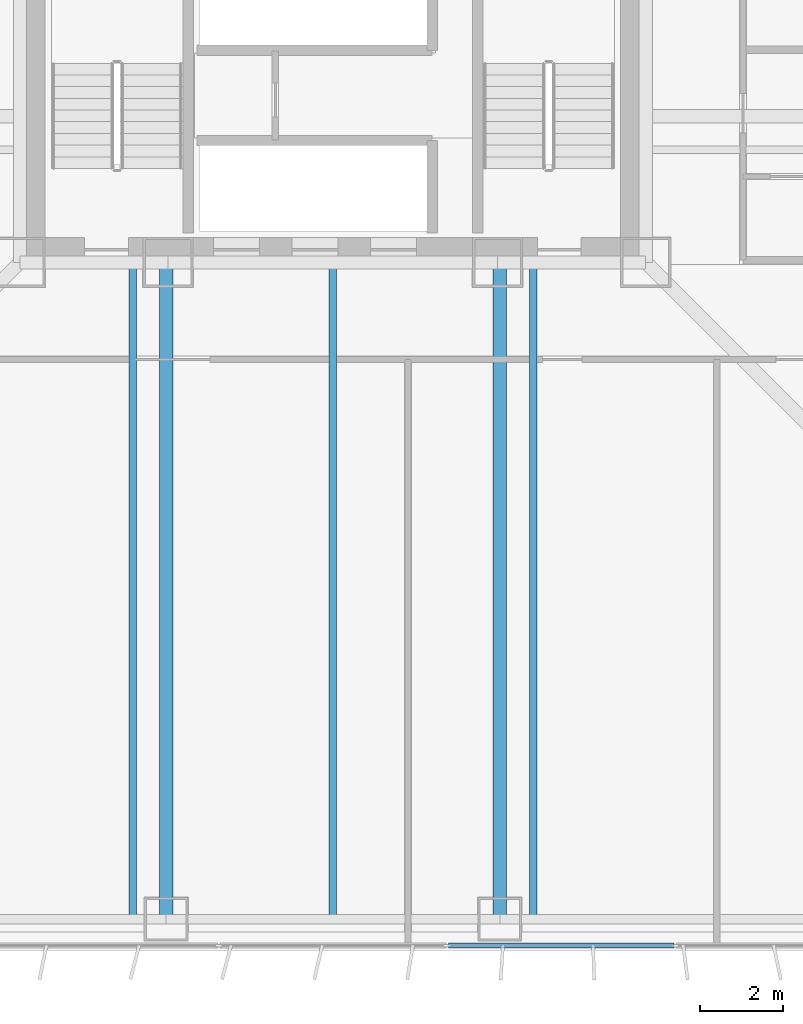
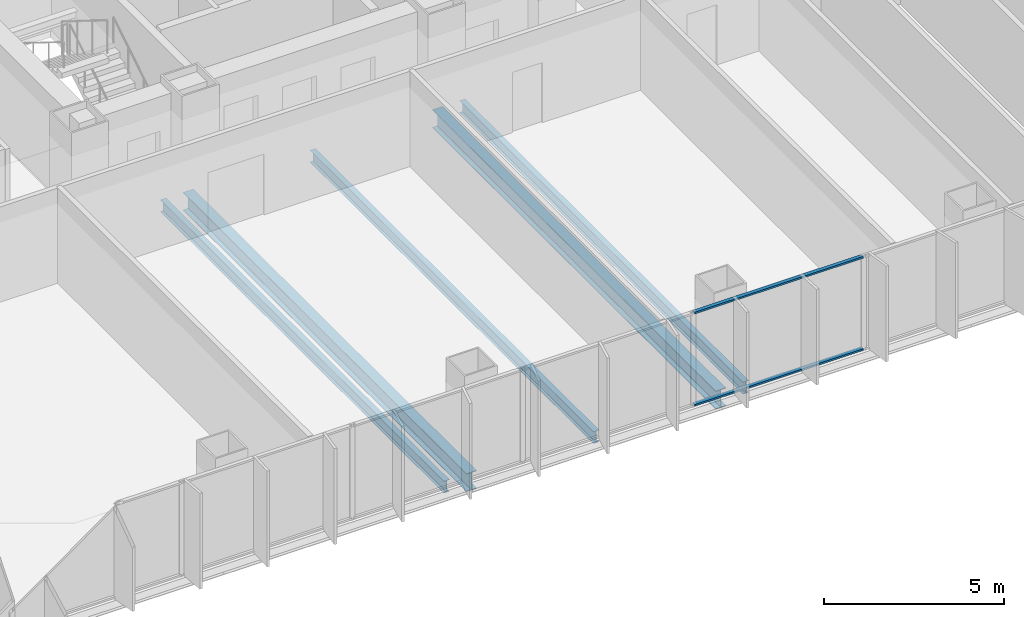
# One storey, part 3 of 17: 5 beams, 2 members, 1 element without a shape of its own.
"""IFC4 building model written with IfcOpenShell, lengths in metres."""

from ifc_helpers import new_model, si_unit, direction, frame, origin, origin_2d, place, context, subcontext, project, spatial, rectangle, i_section, extrude, material, layer, layer_set, material_profile, profile_set, type_object, element, aggregate, save


model = new_model("IFC4")

# Units and contexts
model_context = context("Model", 3, precision=1e-05, world=origin(), true_north=direction((0.0, 1.0)))
body_context = subcontext(model_context, "Body", "Model", "MODEL_VIEW")
ifc_project = project(units=[si_unit("LENGTHUNIT", "METRE"), si_unit("AREAUNIT", "SQUARE_METRE"), si_unit("VOLUMEUNIT", "CUBIC_METRE"), si_unit("PLANEANGLEUNIT", "RADIAN"), si_unit("MASSUNIT", "GRAM", prefix="KILO")], contexts=[model_context])

# Site, building, storey
site_placement = place(None, origin())
site = spatial("IfcSite", under=ifc_project, at=site_placement, CompositionType="ELEMENT")
building_placement = place(site_placement, origin())
building = spatial("IfcBuilding", under=site, at=building_placement, Name="Trevonay Congress Spire", CompositionType="ELEMENT")
storey_placement = place(building_placement, frame((0.0, 0.0, 69.0)))
storey = spatial("IfcBuildingStorey", under=building, at=storey_placement, Name="L17", CompositionType="ELEMENT", Elevation=69.0)

# Beams
ifc_material_1 = material(Name="Steel ASTM A572 Grade 50", Category="steel")
ifc_material_profile_1 = material_profile(ifc_material_1, i_section(OverallWidth=0.324951171875, OverallDepth=0.615966796875, WebThickness=0.013916015625, FlangeThickness=0.021484375, FilletRadius=0.01806640625, at=origin_2d()), Name="W610x174")
ifc_profile_set_1 = profile_set([ifc_material_profile_1], Name="Steel ASTM A572 Grade 50")
beam_type_1 = type_object("IfcBeamType", Name="BM-GIRD-W610X174", PredefinedType="BEAM", material=ifc_profile_set_1)
for number, where, z_axis, x_axis, name in (
    (1, (-4.0, -7.5, -0.55810546875), (0.0, -1.0, 0.0), (1.0, 0.0, 0.0), "L17 structural beam BM-L17-GS-M"),
    (2, (4.0, -7.5, -0.55810546875), (0.0, -1.0, 0.0), (1.0, 0.0, 0.0), "L17 structural beam BM-L17-GS-P"),
):
    element("IfcBeam", number, at=place(storey_placement, frame(where, z_axis=z_axis, x_axis=x_axis)), inside=storey, type_object=beam_type_1, Name=name, PredefinedType="BEAM", context=body_context, shape_type="SweptSolid", body=[
        extrude(i_section(OverallWidth=0.324951171875, OverallDepth=0.615966796875, WebThickness=0.013916015625, FlangeThickness=0.021484375, FilletRadius=0.01806640625, at=origin_2d()), origin(), (0.0, 0.0, 1.0), 15.75),
    ])

# Curtain wall, members
ifc_material_2 = material(Name="Pale Anodised Aluminium EN AW-6063-T6", Category="aluminium")
ifc_layer = layer(ifc_material_2, 0.179931640625, Name="Pale Anodised Aluminium EN AW-6063-T6")
ifc_layer_set = layer_set([ifc_layer], Name="Pale Anodised Aluminium EN AW-6063-T6")
curtain_wall_type = type_object("IfcCurtainWallType", Name="CW-SYS02-HOTEL-PALE-METAL", PredefinedType="NOTDEFINED", material=ifc_layer_set)
curtain_wall_placement = place(storey_placement, origin())
curtain_wall = element("IfcCurtainWall", 3, at=curtain_wall_placement, inside=storey, type_object=curtain_wall_type, Name="L17 S unitised curtain wall", PredefinedType="NOTDEFINED")
ifc_material_profile_2 = material_profile(ifc_material_2, rectangle(XDim=0.1201171875, YDim=0.06005859375, at=origin_2d()), Name="CW-TRANSOM-120-ALUMINIUM")
ifc_profile_set_2 = profile_set([ifc_material_profile_2], Name="Pale Anodised Aluminium EN AW-6063-T6")
member_type = type_object("IfcMemberType", Name="CW-TRANSOM-120-ALUMINIUM", PredefinedType="USERDEFINED", material=ifc_profile_set_2)
member_1_placement = place(storey_placement, frame((2.765625, -23.8798828125, 0.06005859375), z_axis=(1.0, 0.0, 0.0), x_axis=(0.0, 1.0, 0.0)))
member_1 = element("IfcMember", 4, at=member_1_placement, type_object=member_type, Name="CW02 transom 5.1", ObjectType="TRANSOM", PredefinedType="USERDEFINED", context=body_context, shape_type="SweptSolid", body=[
    extrude(rectangle(XDim=0.1201171875, YDim=0.06005859375, at=origin_2d()), origin(), (0.0, 0.0, 1.0), 5.41162109375),
])
member_2_placement = place(storey_placement, frame((2.765625, -23.8798828125, 3.18994140625), z_axis=(1.0, 0.0, 0.0), x_axis=(0.0, 1.0, 0.0)))
member_2 = element("IfcMember", 5, at=member_2_placement, type_object=member_type, Name="CW02 transom 5.2", ObjectType="TRANSOM", PredefinedType="USERDEFINED", context=body_context, shape_type="SweptSolid", body=[
    extrude(rectangle(XDim=0.1201171875, YDim=0.06005859375, at=origin_2d()), origin(), (0.0, 0.0, 1.0), 5.41162109375),
])
aggregate(curtain_wall, [member_1, member_2])

# Beams
ifc_material_profile_3 = material_profile(ifc_material_1, i_section(OverallWidth=0.177978515625, OverallDepth=0.406982421875, WebThickness=0.0078125, FlangeThickness=0.0126953125, FilletRadius=0.012939453125, at=origin_2d()), Name="W410x60")
ifc_profile_set_3 = profile_set([ifc_material_profile_3], Name="Steel ASTM A572 Grade 50")
beam_type_2 = type_object("IfcBeamType", Name="JS-COMP-W410X60", PredefinedType="JOIST", material=ifc_profile_set_3)
for number, where, z_axis, x_axis, name in (
    (6, (-4.800048828125, -23.25, -0.45361328125), (0.0, 1.0, 0.0), (-1.0, 0.0, 0.0), "L17 structural beam JS-L17-NS-S1"),
    (7, (0.0, -23.25, -0.45361328125), (0.0, 1.0, 0.0), (-1.0, 0.0, 0.0), "L17 structural beam JS-L17-NS-S2"),
    (8, (4.800048828125, -23.25, -0.45361328125), (0.0, 1.0, 0.0), (-1.0, 0.0, 0.0), "L17 structural beam JS-L17-NS-S3"),
):
    element("IfcBeam", number, at=place(storey_placement, frame(where, z_axis=z_axis, x_axis=x_axis)), inside=storey, type_object=beam_type_2, Name=name, PredefinedType="JOIST", context=body_context, shape_type="SweptSolid", body=[
        extrude(i_section(OverallWidth=0.177978515625, OverallDepth=0.406982421875, WebThickness=0.0078125, FlangeThickness=0.0126953125, FilletRadius=0.012939453125, at=origin_2d()), origin(), (0.0, 0.0, 1.0), 15.75),
    ])

save(model, "model.ifc")
